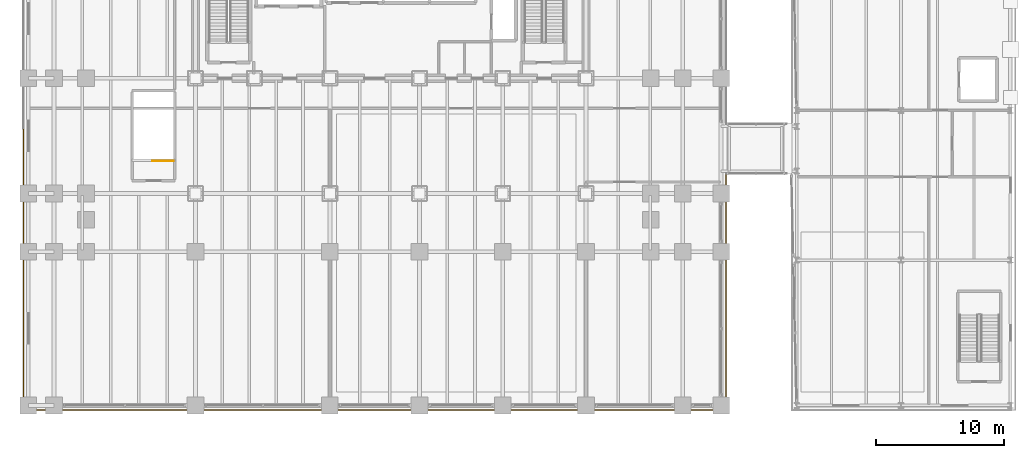
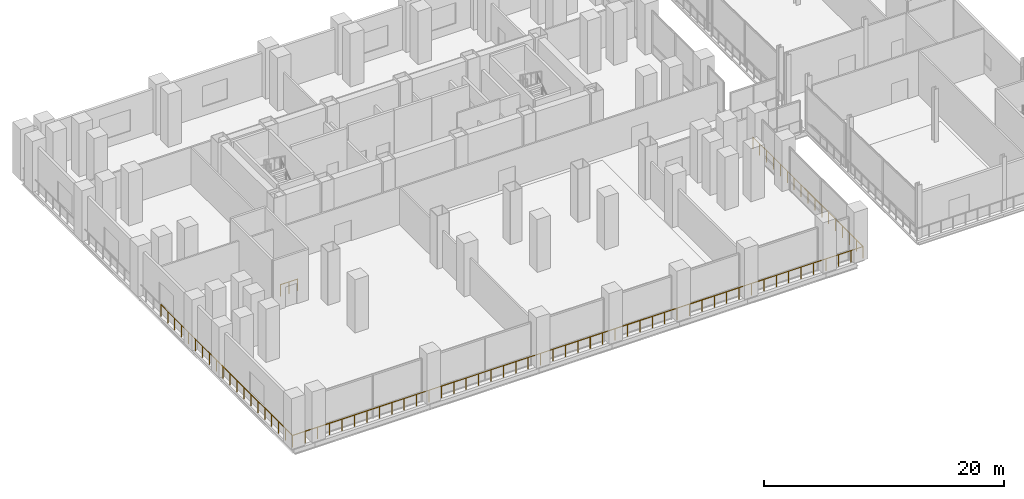
# One storey, part 25 of 30: 2 railings.
"""IFC4 building model written with IfcOpenShell, lengths in metres."""

from ifc_helpers import new_model, si_unit, direction, frame, origin, origin_2d, place, context, subcontext, project, spatial, circle, extrude, material, layer, layer_set, type_object, element, save


model = new_model("IFC4")

# Units and contexts
model_context = context("Model", 3, precision=1e-05, world=origin(), true_north=direction((0.0, 1.0)))
body_context = subcontext(model_context, "Body", "Model", "MODEL_VIEW")
ifc_project = project(units=[si_unit("LENGTHUNIT", "METRE"), si_unit("AREAUNIT", "SQUARE_METRE"), si_unit("VOLUMEUNIT", "CUBIC_METRE"), si_unit("PLANEANGLEUNIT", "RADIAN"), si_unit("MASSUNIT", "GRAM", prefix="KILO")], contexts=[model_context])

# Site, building, storey
site_placement = place(None, origin())
site = spatial("IfcSite", under=ifc_project, at=site_placement, CompositionType="ELEMENT")
building_placement = place(site_placement, origin())
building = spatial("IfcBuilding", under=site, at=building_placement, Name="Noeulbin Bourse Tower", CompositionType="ELEMENT")
storey_placement = place(building_placement, frame((0.0, 0.0, 16.60009765625)))
storey = spatial("IfcBuildingStorey", under=building, at=storey_placement, Name="L04", CompositionType="ELEMENT", Elevation=16.60009765625)

# Railings
ifc_material_1 = material(Name="Painted Tubular Steel S355", Category="steel")
ifc_layer_1 = layer(ifc_material_1, 0.048095703125)
ifc_layer_set_1 = layer_set([ifc_layer_1], Name="Painted Tubular Steel S355")
railing_type_1 = type_object("IfcRailingType", Name="RLG-STR-GRD", PredefinedType="GUARDRAIL", material=ifc_layer_set_1)
railing_1_placement = place(storey_placement, frame((11.800048828125, 22.530029296875, 0.0)))
element("IfcRailing", 1, at=railing_1_placement, inside=storey, type_object=railing_type_1, Name="L04 ST-P1 top well guard 1", PredefinedType="GUARDRAIL", context=body_context, shape_type="SweptSolid", body=[
    extrude(circle(Radius=0.02392578125, at=origin_2d()), frame((0.0, 0.0, 1.17578125), z_axis=(-1.0, 0.0, 0.0), x_axis=(0.0, -1.0, 0.0)), (0.0, 0.0, 1.0), 1.66015625),
    extrude(circle(Radius=0.02099609375, at=origin_2d()), origin(), (0.0, 0.0, 1.0), 1.15185546875),
    extrude(circle(Radius=0.02099609375, at=origin_2d()), frame((-0.830078125, 0.0, 0.0)), (0.0, 0.0, 1.0), 1.15185546875),
    extrude(circle(Radius=0.02099609375, at=origin_2d()), frame((-1.66015625, 0.0, 0.0)), (0.0, 0.0, 1.0), 1.15185546875),
])
ifc_material_2 = material(Name="Stainless Steel 316 Post and Rail", Category="steel")
ifc_layer_2 = layer(ifc_material_2, 0.06005859375)
ifc_layer_set_2 = layer_set([ifc_layer_2], Name="Stainless Steel 316 Post and Rail")
railing_type_2 = type_object("IfcRailingType", Name="RLG-TER-1200", PredefinedType="GUARDRAIL", material=ifc_layer_set_2)
railing_2_placement = place(storey_placement, frame((54.919921875, 21.449951171875, 0.0)))
element("IfcRailing", 2, at=railing_2_placement, inside=storey, type_object=railing_type_2, Name="Podium Perimeter Edge Guard L04-1", PredefinedType="GUARDRAIL", context=body_context, shape_type="SweptSolid", body=[
    extrude(circle(Radius=0.02392578125, at=origin_2d()), frame((0.0, 0.0, 1.17578125), z_axis=(0.0, -1.0, 0.0), x_axis=(1.0, 0.0, 0.0)), (0.0, 0.0, 1.0), 18.369873046875),
    extrude(circle(Radius=0.02392578125, at=origin_2d()), frame((0.0, -18.369873046875, 1.17578125), z_axis=(-1.0, 0.0, 0.0), x_axis=(0.0, -1.0, 0.0)), (0.0, 0.0, 1.0), 54.83984375),
    extrude(circle(Radius=0.02392578125, at=origin_2d()), frame((-54.83984375, -18.369873046875, 1.17578125), z_axis=(0.0, 1.0, 0.0), x_axis=(-1.0, 0.0, 0.0)), (0.0, 0.0, 1.0), 21.919921875),
    extrude(circle(Radius=0.02099609375, at=origin_2d()), origin(), (0.0, 0.0, 1.0), 1.15185546875),
    extrude(circle(Radius=0.02099609375, at=origin_2d()), frame((0.0, -1.148193359375, 0.0)), (0.0, 0.0, 1.0), 1.15185546875),
    extrude(circle(Radius=0.02099609375, at=origin_2d()), frame((0.0, -2.296142578125, 0.0)), (0.0, 0.0, 1.0), 1.15185546875),
    extrude(circle(Radius=0.02099609375, at=origin_2d()), frame((0.0, -3.4443359375, 0.0)), (0.0, 0.0, 1.0), 1.15185546875),
    extrude(circle(Radius=0.02099609375, at=origin_2d()), frame((0.0, -4.592529296875, 0.0)), (0.0, 0.0, 1.0), 1.15185546875),
    extrude(circle(Radius=0.02099609375, at=origin_2d()), frame((0.0, -5.740478515625, 0.0)), (0.0, 0.0, 1.0), 1.15185546875),
    extrude(circle(Radius=0.02099609375, at=origin_2d()), frame((0.0, -6.888671875, 0.0)), (0.0, 0.0, 1.0), 1.15185546875),
    extrude(circle(Radius=0.02099609375, at=origin_2d()), frame((0.0, -8.036865234375, 0.0)), (0.0, 0.0, 1.0), 1.15185546875),
    extrude(circle(Radius=0.02099609375, at=origin_2d()), frame((0.0, -9.18505859375, 0.0)), (0.0, 0.0, 1.0), 1.15185546875),
    extrude(circle(Radius=0.02099609375, at=origin_2d()), frame((0.0, -10.3330078125, 0.0)), (0.0, 0.0, 1.0), 1.15185546875),
    extrude(circle(Radius=0.02099609375, at=origin_2d()), frame((0.0, -11.481201171875, 0.0)), (0.0, 0.0, 1.0), 1.15185546875),
    extrude(circle(Radius=0.02099609375, at=origin_2d()), frame((0.0, -12.62939453125, 0.0)), (0.0, 0.0, 1.0), 1.15185546875),
    extrude(circle(Radius=0.02099609375, at=origin_2d()), frame((0.0, -13.77734375, 0.0)), (0.0, 0.0, 1.0), 1.15185546875),
    extrude(circle(Radius=0.02099609375, at=origin_2d()), frame((0.0, -14.925537109375, 0.0)), (0.0, 0.0, 1.0), 1.15185546875),
    extrude(circle(Radius=0.02099609375, at=origin_2d()), frame((0.0, -16.07373046875, 0.0)), (0.0, 0.0, 1.0), 1.15185546875),
    extrude(circle(Radius=0.02099609375, at=origin_2d()), frame((0.0, -17.2216796875, 0.0)), (0.0, 0.0, 1.0), 1.15185546875),
    extrude(circle(Radius=0.02099609375, at=origin_2d()), frame((0.0, -18.369873046875, 0.0)), (0.0, 0.0, 1.0), 1.15185546875),
    extrude(circle(Radius=0.02099609375, at=origin_2d()), frame((-1.192138671875, -18.369873046875, 0.0)), (0.0, 0.0, 1.0), 1.15185546875),
    extrude(circle(Radius=0.02099609375, at=origin_2d()), frame((-2.38427734375, -18.369873046875, 0.0)), (0.0, 0.0, 1.0), 1.15185546875),
    extrude(circle(Radius=0.02099609375, at=origin_2d()), frame((-3.576416015625, -18.369873046875, 0.0)), (0.0, 0.0, 1.0), 1.15185546875),
    extrude(circle(Radius=0.02099609375, at=origin_2d()), frame((-4.768798828125, -18.369873046875, 0.0)), (0.0, 0.0, 1.0), 1.15185546875),
    extrude(circle(Radius=0.02099609375, at=origin_2d()), frame((-5.9609375, -18.369873046875, 0.0)), (0.0, 0.0, 1.0), 1.15185546875),
    extrude(circle(Radius=0.02099609375, at=origin_2d()), frame((-7.153076171875, -18.369873046875, 0.0)), (0.0, 0.0, 1.0), 1.15185546875),
    extrude(circle(Radius=0.02099609375, at=origin_2d()), frame((-8.34521484375, -18.369873046875, 0.0)), (0.0, 0.0, 1.0), 1.15185546875),
    extrude(circle(Radius=0.02099609375, at=origin_2d()), frame((-9.537353515625, -18.369873046875, 0.0)), (0.0, 0.0, 1.0), 1.15185546875),
    extrude(circle(Radius=0.02099609375, at=origin_2d()), frame((-10.7294921875, -18.369873046875, 0.0)), (0.0, 0.0, 1.0), 1.15185546875),
    extrude(circle(Radius=0.02099609375, at=origin_2d()), frame((-11.921630859375, -18.369873046875, 0.0)), (0.0, 0.0, 1.0), 1.15185546875),
    extrude(circle(Radius=0.02099609375, at=origin_2d()), frame((-13.11376953125, -18.369873046875, 0.0)), (0.0, 0.0, 1.0), 1.15185546875),
    extrude(circle(Radius=0.02099609375, at=origin_2d()), frame((-14.30615234375, -18.369873046875, 0.0)), (0.0, 0.0, 1.0), 1.15185546875),
    extrude(circle(Radius=0.02099609375, at=origin_2d()), frame((-15.498291015625, -18.369873046875, 0.0)), (0.0, 0.0, 1.0), 1.15185546875),
    extrude(circle(Radius=0.02099609375, at=origin_2d()), frame((-16.6904296875, -18.369873046875, 0.0)), (0.0, 0.0, 1.0), 1.15185546875),
    extrude(circle(Radius=0.02099609375, at=origin_2d()), frame((-17.882568359375, -18.369873046875, 0.0)), (0.0, 0.0, 1.0), 1.15185546875),
    extrude(circle(Radius=0.02099609375, at=origin_2d()), frame((-19.07470703125, -18.369873046875, 0.0)), (0.0, 0.0, 1.0), 1.15185546875),
    extrude(circle(Radius=0.02099609375, at=origin_2d()), frame((-20.266845703125, -18.369873046875, 0.0)), (0.0, 0.0, 1.0), 1.15185546875),
    extrude(circle(Radius=0.02099609375, at=origin_2d()), frame((-21.458984375, -18.369873046875, 0.0)), (0.0, 0.0, 1.0), 1.15185546875),
    extrude(circle(Radius=0.02099609375, at=origin_2d()), frame((-22.651123046875, -18.369873046875, 0.0)), (0.0, 0.0, 1.0), 1.15185546875),
    extrude(circle(Radius=0.02099609375, at=origin_2d()), frame((-23.843505859375, -18.369873046875, 0.0)), (0.0, 0.0, 1.0), 1.15185546875),
    extrude(circle(Radius=0.02099609375, at=origin_2d()), frame((-25.03564453125, -18.369873046875, 0.0)), (0.0, 0.0, 1.0), 1.15185546875),
    extrude(circle(Radius=0.02099609375, at=origin_2d()), frame((-26.227783203125, -18.369873046875, 0.0)), (0.0, 0.0, 1.0), 1.15185546875),
    extrude(circle(Radius=0.02099609375, at=origin_2d()), frame((-27.419921875, -18.369873046875, 0.0)), (0.0, 0.0, 1.0), 1.15185546875),
    extrude(circle(Radius=0.02099609375, at=origin_2d()), frame((-28.612060546875, -18.369873046875, 0.0)), (0.0, 0.0, 1.0), 1.15185546875),
    extrude(circle(Radius=0.02099609375, at=origin_2d()), frame((-29.80419921875, -18.369873046875, 0.0)), (0.0, 0.0, 1.0), 1.15185546875),
    extrude(circle(Radius=0.02099609375, at=origin_2d()), frame((-30.996337890625, -18.369873046875, 0.0)), (0.0, 0.0, 1.0), 1.15185546875),
    extrude(circle(Radius=0.02099609375, at=origin_2d()), frame((-32.188720703125, -18.369873046875, 0.0)), (0.0, 0.0, 1.0), 1.15185546875),
    extrude(circle(Radius=0.02099609375, at=origin_2d()), frame((-33.380859375, -18.369873046875, 0.0)), (0.0, 0.0, 1.0), 1.15185546875),
    extrude(circle(Radius=0.02099609375, at=origin_2d()), frame((-34.572998046875, -18.369873046875, 0.0)), (0.0, 0.0, 1.0), 1.15185546875),
    extrude(circle(Radius=0.02099609375, at=origin_2d()), frame((-35.76513671875, -18.369873046875, 0.0)), (0.0, 0.0, 1.0), 1.15185546875),
    extrude(circle(Radius=0.02099609375, at=origin_2d()), frame((-36.957275390625, -18.369873046875, 0.0)), (0.0, 0.0, 1.0), 1.15185546875),
    extrude(circle(Radius=0.02099609375, at=origin_2d()), frame((-38.1494140625, -18.369873046875, 0.0)), (0.0, 0.0, 1.0), 1.15185546875),
    extrude(circle(Radius=0.02099609375, at=origin_2d()), frame((-39.341552734375, -18.369873046875, 0.0)), (0.0, 0.0, 1.0), 1.15185546875),
    extrude(circle(Radius=0.02099609375, at=origin_2d()), frame((-40.53369140625, -18.369873046875, 0.0)), (0.0, 0.0, 1.0), 1.15185546875),
    extrude(circle(Radius=0.02099609375, at=origin_2d()), frame((-41.72607421875, -18.369873046875, 0.0)), (0.0, 0.0, 1.0), 1.15185546875),
    extrude(circle(Radius=0.02099609375, at=origin_2d()), frame((-42.918212890625, -18.369873046875, 0.0)), (0.0, 0.0, 1.0), 1.15185546875),
    extrude(circle(Radius=0.02099609375, at=origin_2d()), frame((-44.1103515625, -18.369873046875, 0.0)), (0.0, 0.0, 1.0), 1.15185546875),
    extrude(circle(Radius=0.02099609375, at=origin_2d()), frame((-45.302490234375, -18.369873046875, 0.0)), (0.0, 0.0, 1.0), 1.15185546875),
    extrude(circle(Radius=0.02099609375, at=origin_2d()), frame((-46.49462890625, -18.369873046875, 0.0)), (0.0, 0.0, 1.0), 1.15185546875),
    extrude(circle(Radius=0.02099609375, at=origin_2d()), frame((-47.686767578125, -18.369873046875, 0.0)), (0.0, 0.0, 1.0), 1.15185546875),
    extrude(circle(Radius=0.02099609375, at=origin_2d()), frame((-48.87890625, -18.369873046875, 0.0)), (0.0, 0.0, 1.0), 1.15185546875),
    extrude(circle(Radius=0.02099609375, at=origin_2d()), frame((-50.071044921875, -18.369873046875, 0.0)), (0.0, 0.0, 1.0), 1.15185546875),
    extrude(circle(Radius=0.02099609375, at=origin_2d()), frame((-51.263427734375, -18.369873046875, 0.0)), (0.0, 0.0, 1.0), 1.15185546875),
    extrude(circle(Radius=0.02099609375, at=origin_2d()), frame((-52.45556640625, -18.369873046875, 0.0)), (0.0, 0.0, 1.0), 1.15185546875),
    extrude(circle(Radius=0.02099609375, at=origin_2d()), frame((-53.647705078125, -18.369873046875, 0.0)), (0.0, 0.0, 1.0), 1.15185546875),
    extrude(circle(Radius=0.02099609375, at=origin_2d()), frame((-54.83984375, -18.369873046875, 0.0)), (0.0, 0.0, 1.0), 1.15185546875),
    extrude(circle(Radius=0.02099609375, at=origin_2d()), frame((-54.83984375, -17.21630859375, 0.0)), (0.0, 0.0, 1.0), 1.15185546875),
    extrude(circle(Radius=0.02099609375, at=origin_2d()), frame((-54.83984375, -16.0625, 0.0)), (0.0, 0.0, 1.0), 1.15185546875),
    extrude(circle(Radius=0.02099609375, at=origin_2d()), frame((-54.83984375, -14.908935546875, 0.0)), (0.0, 0.0, 1.0), 1.15185546875),
    extrude(circle(Radius=0.02099609375, at=origin_2d()), frame((-54.83984375, -13.755126953125, 0.0)), (0.0, 0.0, 1.0), 1.15185546875),
    extrude(circle(Radius=0.02099609375, at=origin_2d()), frame((-54.83984375, -12.6015625, 0.0)), (0.0, 0.0, 1.0), 1.15185546875),
    extrude(circle(Radius=0.02099609375, at=origin_2d()), frame((-54.83984375, -11.44775390625, 0.0)), (0.0, 0.0, 1.0), 1.15185546875),
    extrude(circle(Radius=0.02099609375, at=origin_2d()), frame((-54.83984375, -10.294189453125, 0.0)), (0.0, 0.0, 1.0), 1.15185546875),
    extrude(circle(Radius=0.02099609375, at=origin_2d()), frame((-54.83984375, -9.140380859375, 0.0)), (0.0, 0.0, 1.0), 1.15185546875),
    extrude(circle(Radius=0.02099609375, at=origin_2d()), frame((-54.83984375, -7.98681640625, 0.0)), (0.0, 0.0, 1.0), 1.15185546875),
    extrude(circle(Radius=0.02099609375, at=origin_2d()), frame((-54.83984375, -6.8330078125, 0.0)), (0.0, 0.0, 1.0), 1.15185546875),
    extrude(circle(Radius=0.02099609375, at=origin_2d()), frame((-54.83984375, -5.679443359375, 0.0)), (0.0, 0.0, 1.0), 1.15185546875),
    extrude(circle(Radius=0.02099609375, at=origin_2d()), frame((-54.83984375, -4.525634765625, 0.0)), (0.0, 0.0, 1.0), 1.15185546875),
    extrude(circle(Radius=0.02099609375, at=origin_2d()), frame((-54.83984375, -3.3720703125, 0.0)), (0.0, 0.0, 1.0), 1.15185546875),
    extrude(circle(Radius=0.02099609375, at=origin_2d()), frame((-54.83984375, -2.21826171875, 0.0)), (0.0, 0.0, 1.0), 1.15185546875),
    extrude(circle(Radius=0.02099609375, at=origin_2d()), frame((-54.83984375, -1.064697265625, 0.0)), (0.0, 0.0, 1.0), 1.15185546875),
    extrude(circle(Radius=0.02099609375, at=origin_2d()), frame((-54.83984375, 0.089111328125, 0.0)), (0.0, 0.0, 1.0), 1.15185546875),
    extrude(circle(Radius=0.02099609375, at=origin_2d()), frame((-54.83984375, 1.24267578125, 0.0)), (0.0, 0.0, 1.0), 1.15185546875),
    extrude(circle(Radius=0.02099609375, at=origin_2d()), frame((-54.83984375, 2.396484375, 0.0)), (0.0, 0.0, 1.0), 1.15185546875),
    extrude(circle(Radius=0.02099609375, at=origin_2d()), frame((-54.83984375, 3.550048828125, 0.0)), (0.0, 0.0, 1.0), 1.15185546875),
])

save(model, "model.ifc")
